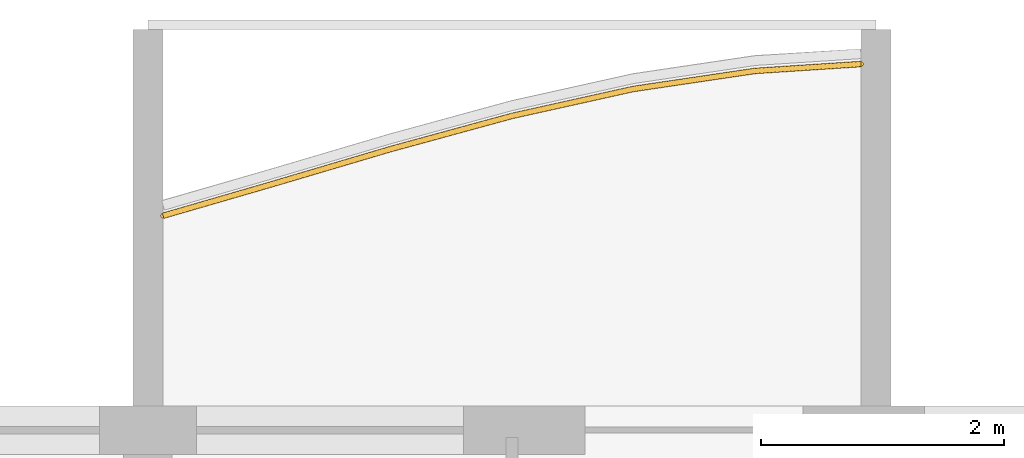
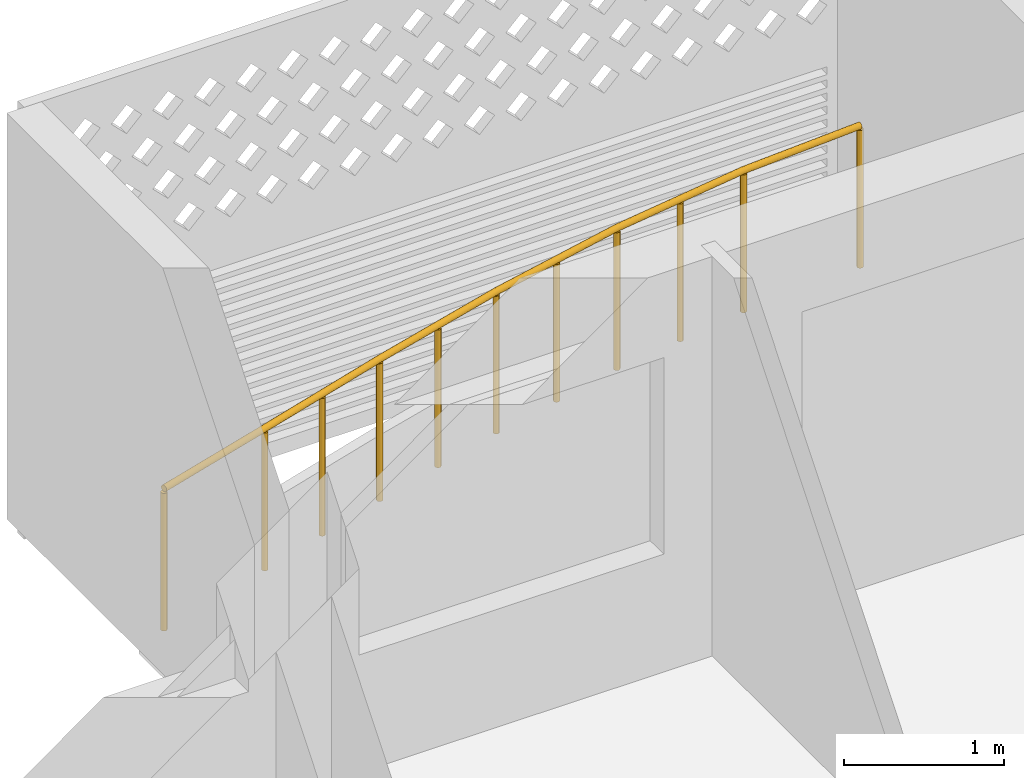
# One storey, part 28 of 38: 1 railing.
"""IFC4 building model written with IfcOpenShell, lengths in metres."""

import ifcopenshell
import ifcopenshell.guid

model = None  # the IFC model being written
_history = None  # IfcOwnerHistory: only IFC2X3 demands one
_inside = {}  # id of a spatial element -> (the spatial element, [elements in it])
_under = {}  # id of a project, library or spatial element -> (it, [spatial elements below it])
_declared = {}  # id of a project -> (the project, [libraries it declares])
_typed = {}  # id of a type object -> (the type object, [elements of that type])
_made_of = {}  # id of a material, layer set ... -> (it, [elements and type objects made of it])


def new_model(schema):
    """Start an empty IFC model of exactly this schema.

    Asked for "IFC4X3", IfcOpenShell would pick the latest addendum, in which some entities
    have other attributes; the version numbers below select the first issue.
    IFC2X3 requires an IfcOwnerHistory on every rooted entity: one is made here for all.
    """
    global model, _history
    if schema == "IFC4X3":
        model = ifcopenshell.file(schema_version=(4, 3, 0, 0))
    else:
        model = ifcopenshell.file(schema=schema)
    _inside.clear()
    _under.clear()
    _declared.clear()
    _typed.clear()
    _made_of.clear()
    _history = None
    if model.schema == "IFC2X3":
        org = make("IfcOrganization", Name="unknown")
        user = make(
            "IfcPersonAndOrganization",
            ThePerson=make("IfcPerson", FamilyName="unknown"),
            TheOrganization=org,
        )
        app = make(
            "IfcApplication",
            ApplicationDeveloper=org,
            Version="unknown",
            ApplicationFullName="unknown",
            ApplicationIdentifier="unknown",
        )
        _history = make(
            "IfcOwnerHistory",
            OwningUser=user,
            OwningApplication=app,
            ChangeAction="ADDED",
            CreationDate=0,
        )
    return model


def make(cls, **values):
    """One entity of the class cls with the attributes given. An attribute that is None is left unset."""
    return model.create_entity(
        cls, **{name: value for name, value in values.items() if value is not None}
    )


def rooted(cls, **values):
    """An entity with a GlobalId (a new one), such as an element, a storey or a relation."""
    return make(cls, GlobalId=ifcopenshell.guid.new(), OwnerHistory=_history, **values)


def si_unit(unit_type, name, prefix=None):
    """IfcSIUnit, for example si_unit("LENGTHUNIT", "METRE", prefix="MILLI")."""
    return make("IfcSIUnit", UnitType=unit_type, Prefix=prefix, Name=name)


def assignment(units):
    """IfcUnitAssignment: the units of a project."""
    return None if units is None else make("IfcUnitAssignment", Units=units)


def point(xyz):
    """IfcCartesianPoint."""
    return None if xyz is None else make("IfcCartesianPoint", Coordinates=xyz)


def direction(xyz):
    """IfcDirection."""
    return None if xyz is None else make("IfcDirection", DirectionRatios=xyz)


def frame(location, z_axis=None, x_axis=None):
    """IfcAxis2Placement3D, a coordinate frame: its origin and axes. An axis left out is left unset."""
    return make(
        "IfcAxis2Placement3D",
        Location=point(location),
        Axis=direction(z_axis),
        RefDirection=direction(x_axis),
    )


def frame_2d(location, x_axis=None):
    """IfcAxis2Placement2D, a coordinate frame in the plane: its origin and x axis."""
    return make(
        "IfcAxis2Placement2D", Location=point(location), RefDirection=direction(x_axis)
    )


def origin():
    """The frame at (0, 0, 0) with its axes left unset."""
    return frame((0.0, 0.0, 0.0))


def origin_2d():
    """The frame at (0, 0) in the plane with its x axis left unset."""
    return frame_2d((0.0, 0.0))


def place(relative_to, where):
    """IfcLocalPlacement: puts the frame where relative to a parent placement (None: the world)."""
    return make(
        "IfcLocalPlacement", PlacementRelTo=relative_to, RelativePlacement=where
    )


def context(
    kind, dimensions, precision=None, world=None, true_north=None, identifier=None
):
    """IfcGeometricRepresentationContext, for example the 3D "Model" context."""
    return make(
        "IfcGeometricRepresentationContext",
        ContextIdentifier=identifier,
        ContextType=kind,
        CoordinateSpaceDimension=dimensions,
        Precision=precision,
        WorldCoordinateSystem=world,
        TrueNorth=true_north,
    )


def subcontext(parent, identifier, kind, view, scale=None):
    """IfcGeometricRepresentationSubContext, for example "Body" below "Model"."""
    return make(
        "IfcGeometricRepresentationSubContext",
        ContextIdentifier=identifier,
        ContextType=kind,
        ParentContext=parent,
        TargetScale=scale,
        TargetView=view,
    )


def project(units=None, contexts=None):
    """IfcProject with its units and contexts."""
    return rooted(
        "IfcProject",
        Name="project",
        RepresentationContexts=contexts,
        UnitsInContext=assignment(units),
    )


def spatial(cls, under=None, at=None, **own):
    """A site, building, storey or space (cls), placed at a placement, below another one or the project."""
    s = rooted(cls, ObjectPlacement=at, **own)
    if under is not None:
        _under.setdefault(under.id(), (under, []))[1].append(s)
    return s


def profile(cls, at=None, kind="AREA", **sizes):
    """A parametric profile (cls). Its sizes go by their IFC names, for example OverallWidth=200.0."""
    return make(cls, ProfileType=kind, Position=at, **sizes)


def circle(**sizes):
    """IfcCircleProfileDef."""
    return profile("IfcCircleProfileDef", **sizes)


def extrude(swept, where, along, depth):
    """IfcExtrudedAreaSolid: the profile swept, set in the frame where, extruded along a direction by depth."""
    return make(
        "IfcExtrudedAreaSolid",
        SweptArea=swept,
        Position=where,
        ExtrudedDirection=direction(along),
        Depth=depth,
    )


def shape(context_of_items, identifier, shape_type, items):
    """IfcShapeRepresentation: the items that make up one representation, for example the "Body"."""
    return make(
        "IfcShapeRepresentation",
        ContextOfItems=context_of_items,
        RepresentationIdentifier=identifier,
        RepresentationType=shape_type,
        Items=items,
    )


def material(Name=None, Category=None):
    """IfcMaterial."""
    return make("IfcMaterial", Name=Name, Category=Category)


def made_of(thing, what):
    """Note that an element or type object is made of a material, layer set ...; save() writes the relation."""
    if what is not None:
        _made_of.setdefault(what.id(), (what, []))[1].append(thing)
    return thing


def type_object(cls, material=None, **own):
    """A type object (cls), such as IfcWallType, which elements share."""
    return made_of(rooted(cls, **own), material)


def element(
    cls,
    number,
    at=None,
    inside=None,
    cuts=None,
    type_object=None,
    material=None,
    context=None,
    identifier="Body",
    shape_type=None,
    held_by="IfcProductDefinitionShape",
    body=None,
    shapes=None,
    **own,
):
    """One element of the class cls, such as IfcWall. Its Tag is "e" and its number.

    at: its placement. inside: the storey or other place that contains it. cuts: it is an
    opening in that element (IfcRelVoidsElement). A single representation is given by context,
    identifier, shape_type and body (its items); several are given by shapes. held_by: the class
    of the entity that holds the representations. save() writes the other relations.
    """
    e = rooted(cls, Tag="e%d" % number, ObjectPlacement=at, **own)
    if body is not None:
        shapes = [shape(context, identifier, shape_type, body)]
    if shapes is not None:
        e.Representation = make(held_by, Representations=shapes)
    if inside is not None:
        _inside.setdefault(inside.id(), (inside, []))[1].append(e)
    if cuts is not None:
        rooted(
            "IfcRelVoidsElement", RelatingBuildingElement=cuts, RelatedOpeningElement=e
        )
    if type_object is not None:
        _typed.setdefault(type_object.id(), (type_object, []))[1].append(e)
    return made_of(e, material)


def aggregate(whole, parts):
    """IfcRelAggregates: a whole, such as a stair, and the parts it consists of."""
    return rooted("IfcRelAggregates", RelatingObject=whole, RelatedObjects=parts)


def save(model, path):
    """Write the relations noted so far, then the file.

    IfcRelAggregates (storeys below a building ...), IfcRelContainedInSpatialStructure (elements
    in a storey), IfcRelDefinesByType, IfcRelAssociatesMaterial and IfcRelDeclares: one each for
    every whole, place, type object, material and project.
    """
    for whole, parts in _under.values():
        aggregate(whole, parts)
    for where, things in _inside.values():
        rooted(
            "IfcRelContainedInSpatialStructure",
            RelatedElements=things,
            RelatingStructure=where,
        )
    for kind, things in _typed.values():
        rooted("IfcRelDefinesByType", RelatedObjects=things, RelatingType=kind)
    for what, things in _made_of.values():
        rooted("IfcRelAssociatesMaterial", RelatedObjects=things, RelatingMaterial=what)
    for by, libraries in _declared.values():
        rooted("IfcRelDeclares", RelatingContext=by, RelatedDefinitions=libraries)
    model.write(path)


model = new_model("IFC4")

# Units and contexts
model_context = context("Model", 3, precision=1e-05, world=origin(), true_north=direction((0.0, 1.0)))
body_context = subcontext(model_context, "Body", "Model", "MODEL_VIEW")
ifc_project = project(units=[si_unit("LENGTHUNIT", "METRE"), si_unit("AREAUNIT", "SQUARE_METRE"), si_unit("VOLUMEUNIT", "CUBIC_METRE"), si_unit("PLANEANGLEUNIT", "RADIAN"), si_unit("MASSUNIT", "GRAM", prefix="KILO")], contexts=[model_context])

# Site, building, storey
site_placement = place(None, origin())
site = spatial("IfcSite", under=ifc_project, at=site_placement, CompositionType="ELEMENT")
building_placement = place(site_placement, origin())
building = spatial("IfcBuilding", under=site, at=building_placement, Name="Poui Terraces", CompositionType="ELEMENT")
storey_placement = place(building_placement, frame((0.0, 0.0, 43.199951171875)))
storey = spatial("IfcBuildingStorey", under=building, at=storey_placement, Name="L11", CompositionType="ELEMENT", Elevation=43.199951171875)

# Railing
ifc_material = material(Name="Painted steel fretwork", Category="steel")
railing_type = type_object("IfcRailingType", Name="BALCONY GUARD 1100", PredefinedType="GUARDRAIL", material=ifc_material)
railing_placement = place(storey_placement, frame((54.125, 46.56689453125, 0.0)))
element("IfcRailing", 1, at=railing_placement, inside=storey, type_object=railing_type, Name="BALCONY GUARD", PredefinedType="GUARDRAIL", context=body_context, shape_type="SweptSolid", body=[
    extrude(circle(Radius=0.02392578125, at=origin_2d()), frame((0.0, 0.0, 1.076171875), z_axis=(0.960454941812, 0.278435458857, 0.0), x_axis=(-0.278435458857, 0.960454941812, 0.0)), (0.0, 0.0, 1.0), 0.9111328125),
    extrude(circle(Radius=0.02392578125, at=origin_2d()), frame((0.875, 0.253662109375, 1.076171875), z_axis=(0.958901964879, 0.283737593123, 0.0), x_axis=(-0.283737593123, 0.958901964879, 0.0)), (0.0, 0.0, 1.0), 1.04296875),
    extrude(circle(Radius=0.02392578125, at=origin_2d()), frame((1.875, 0.549560546875, 1.076171875), z_axis=(0.964709448785, 0.263316690367, 0.0), x_axis=(-0.263316690367, 0.964709448785, 0.0)), (0.0, 0.0, 1.0), 1.03662109375),
    extrude(circle(Radius=0.02392578125, at=origin_2d()), frame((2.875, 0.822509765625, 1.076171875), z_axis=(0.976198274393, 0.216879987719, 0.0), x_axis=(-0.216879987719, 0.976198274393, 0.0)), (0.0, 0.0, 1.0), 1.0244140625),
    extrude(circle(Radius=0.02392578125, at=origin_2d()), frame((3.875, 1.044677734375, 1.076171875), z_axis=(0.989161931015, 0.146828724135, 0.0), x_axis=(-0.146828724135, 0.989161931015, 0.0)), (0.0, 0.0, 1.0), 1.010986328125),
    extrude(circle(Radius=0.02392578125, at=origin_2d()), frame((4.875, 1.193115234375, 1.076171875), z_axis=(0.997893449569, 0.064874211426, 0.0), x_axis=(-0.064874211426, 0.997893449569, 0.0)), (0.0, 0.0, 1.0), 0.876953125),
    extrude(circle(Radius=0.02099609375, at=origin_2d()), origin(), (0.0, 0.0, 1.0), 1.052001953125),
    extrude(circle(Radius=0.02099609375, at=origin_2d()), frame((0.875, 0.253662109375, 0.0)), (0.0, 0.0, 1.0), 1.052001953125),
    extrude(circle(Radius=0.02099609375, at=origin_2d()), frame((1.375, 0.401611328125, 0.0)), (0.0, 0.0, 1.0), 1.052001953125),
    extrude(circle(Radius=0.02099609375, at=origin_2d()), frame((1.875, 0.549560546875, 0.0)), (0.0, 0.0, 1.0), 1.052001953125),
    extrude(circle(Radius=0.02099609375, at=origin_2d()), frame((2.375, 0.68603515625, 0.0)), (0.0, 0.0, 1.0), 1.052001953125),
    extrude(circle(Radius=0.02099609375, at=origin_2d()), frame((2.875, 0.822509765625, 0.0)), (0.0, 0.0, 1.0), 1.052001953125),
    extrude(circle(Radius=0.02099609375, at=origin_2d()), frame((3.375, 0.93359375, 0.0)), (0.0, 0.0, 1.0), 1.052001953125),
    extrude(circle(Radius=0.02099609375, at=origin_2d()), frame((3.875, 1.044677734375, 0.0)), (0.0, 0.0, 1.0), 1.052001953125),
    extrude(circle(Radius=0.02099609375, at=origin_2d()), frame((4.375, 1.118896484375, 0.0)), (0.0, 0.0, 1.0), 1.052001953125),
    extrude(circle(Radius=0.02099609375, at=origin_2d()), frame((4.875, 1.193115234375, 0.0)), (0.0, 0.0, 1.0), 1.052001953125),
    extrude(circle(Radius=0.02099609375, at=origin_2d()), frame((5.75, 1.25, 0.0)), (0.0, 0.0, 1.0), 1.052001953125),
])

save(model, "model.ifc")
